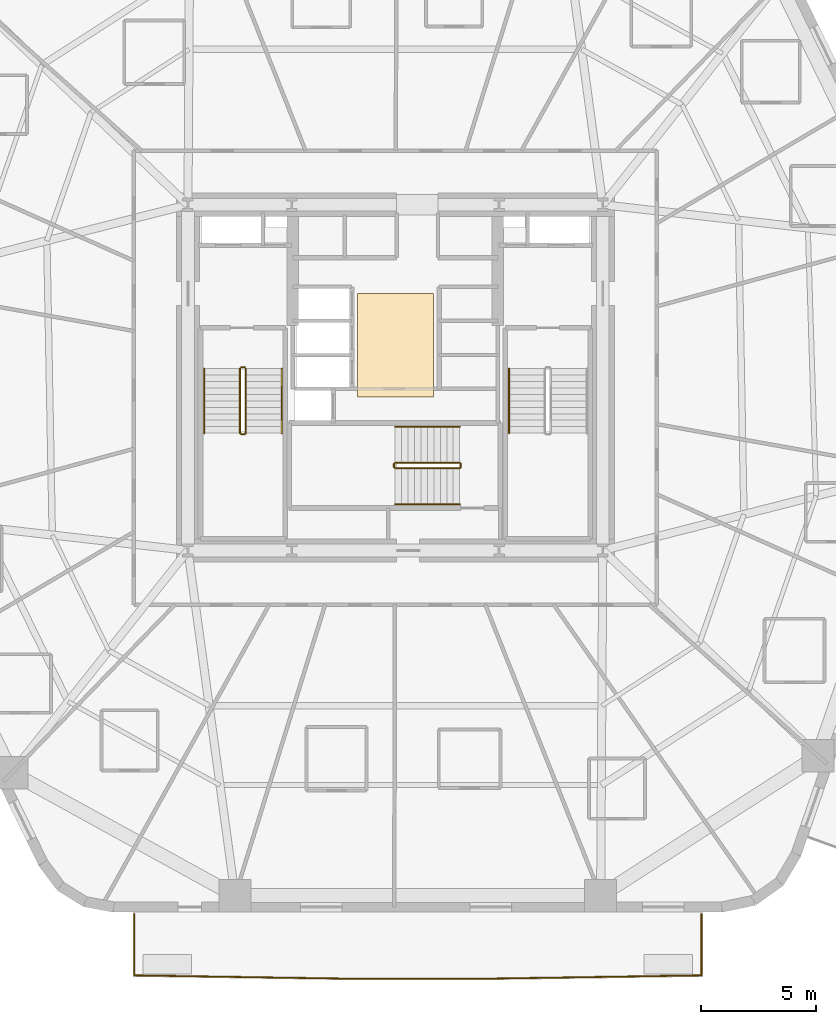
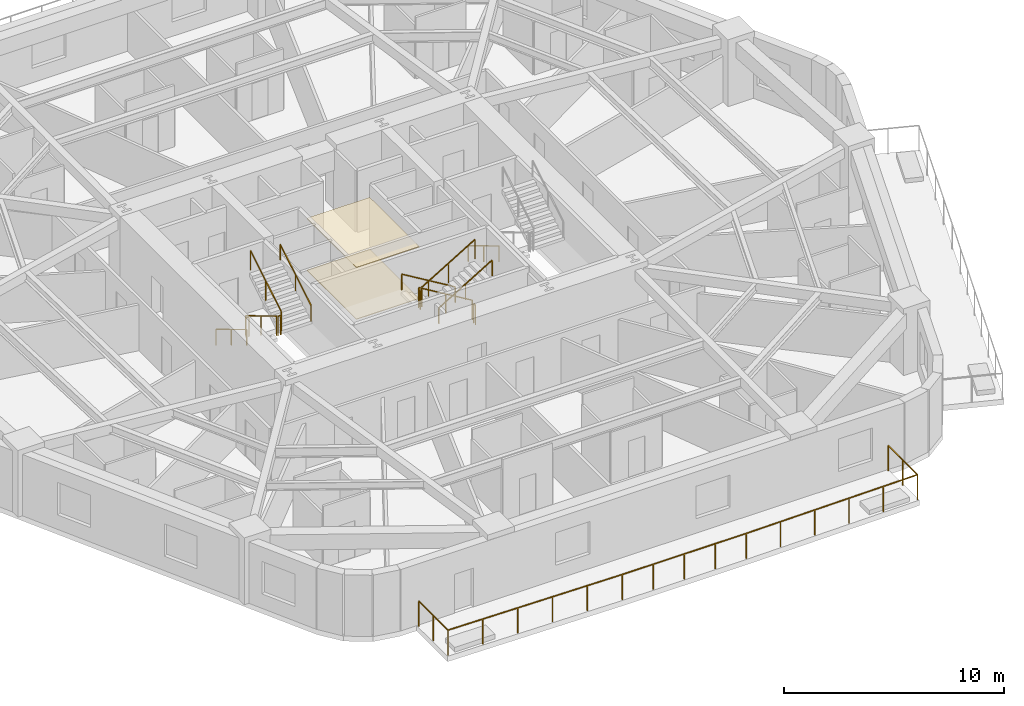
# One storey, part 9 of 11: 14 railings, 2 coverings.
"""IFC4 building model written with IfcOpenShell, lengths in metres."""

import ifcopenshell
import ifcopenshell.guid

model = None  # the IFC model being written
_history = None  # IfcOwnerHistory: only IFC2X3 demands one
_inside = {}  # id of a spatial element -> (the spatial element, [elements in it])
_under = {}  # id of a project, library or spatial element -> (it, [spatial elements below it])
_declared = {}  # id of a project -> (the project, [libraries it declares])
_typed = {}  # id of a type object -> (the type object, [elements of that type])
_made_of = {}  # id of a material, layer set ... -> (it, [elements and type objects made of it])


def new_model(schema):
    """Start an empty IFC model of exactly this schema.

    Asked for "IFC4X3", IfcOpenShell would pick the latest addendum, in which some entities
    have other attributes; the version numbers below select the first issue.
    IFC2X3 requires an IfcOwnerHistory on every rooted entity: one is made here for all.
    """
    global model, _history
    if schema == "IFC4X3":
        model = ifcopenshell.file(schema_version=(4, 3, 0, 0))
    else:
        model = ifcopenshell.file(schema=schema)
    _inside.clear()
    _under.clear()
    _declared.clear()
    _typed.clear()
    _made_of.clear()
    _history = None
    if model.schema == "IFC2X3":
        org = make("IfcOrganization", Name="unknown")
        user = make(
            "IfcPersonAndOrganization",
            ThePerson=make("IfcPerson", FamilyName="unknown"),
            TheOrganization=org,
        )
        app = make(
            "IfcApplication",
            ApplicationDeveloper=org,
            Version="unknown",
            ApplicationFullName="unknown",
            ApplicationIdentifier="unknown",
        )
        _history = make(
            "IfcOwnerHistory",
            OwningUser=user,
            OwningApplication=app,
            ChangeAction="ADDED",
            CreationDate=0,
        )
    return model


def make(cls, **values):
    """One entity of the class cls with the attributes given. An attribute that is None is left unset."""
    return model.create_entity(
        cls, **{name: value for name, value in values.items() if value is not None}
    )


def rooted(cls, **values):
    """An entity with a GlobalId (a new one), such as an element, a storey or a relation."""
    return make(cls, GlobalId=ifcopenshell.guid.new(), OwnerHistory=_history, **values)


def si_unit(unit_type, name, prefix=None):
    """IfcSIUnit, for example si_unit("LENGTHUNIT", "METRE", prefix="MILLI")."""
    return make("IfcSIUnit", UnitType=unit_type, Prefix=prefix, Name=name)


def assignment(units):
    """IfcUnitAssignment: the units of a project."""
    return None if units is None else make("IfcUnitAssignment", Units=units)


def point(xyz):
    """IfcCartesianPoint."""
    return None if xyz is None else make("IfcCartesianPoint", Coordinates=xyz)


def direction(xyz):
    """IfcDirection."""
    return None if xyz is None else make("IfcDirection", DirectionRatios=xyz)


def frame(location, z_axis=None, x_axis=None):
    """IfcAxis2Placement3D, a coordinate frame: its origin and axes. An axis left out is left unset."""
    return make(
        "IfcAxis2Placement3D",
        Location=point(location),
        Axis=direction(z_axis),
        RefDirection=direction(x_axis),
    )


def frame_2d(location, x_axis=None):
    """IfcAxis2Placement2D, a coordinate frame in the plane: its origin and x axis."""
    return make(
        "IfcAxis2Placement2D", Location=point(location), RefDirection=direction(x_axis)
    )


def origin():
    """The frame at (0, 0, 0) with its axes left unset."""
    return frame((0.0, 0.0, 0.0))


def origin_2d():
    """The frame at (0, 0) in the plane with its x axis left unset."""
    return frame_2d((0.0, 0.0))


def place(relative_to, where):
    """IfcLocalPlacement: puts the frame where relative to a parent placement (None: the world)."""
    return make(
        "IfcLocalPlacement", PlacementRelTo=relative_to, RelativePlacement=where
    )


def context(
    kind, dimensions, precision=None, world=None, true_north=None, identifier=None
):
    """IfcGeometricRepresentationContext, for example the 3D "Model" context."""
    return make(
        "IfcGeometricRepresentationContext",
        ContextIdentifier=identifier,
        ContextType=kind,
        CoordinateSpaceDimension=dimensions,
        Precision=precision,
        WorldCoordinateSystem=world,
        TrueNorth=true_north,
    )


def subcontext(parent, identifier, kind, view, scale=None):
    """IfcGeometricRepresentationSubContext, for example "Body" below "Model"."""
    return make(
        "IfcGeometricRepresentationSubContext",
        ContextIdentifier=identifier,
        ContextType=kind,
        ParentContext=parent,
        TargetScale=scale,
        TargetView=view,
    )


def project(units=None, contexts=None):
    """IfcProject with its units and contexts."""
    return rooted(
        "IfcProject",
        Name="project",
        RepresentationContexts=contexts,
        UnitsInContext=assignment(units),
    )


def spatial(cls, under=None, at=None, **own):
    """A site, building, storey or space (cls), placed at a placement, below another one or the project."""
    s = rooted(cls, ObjectPlacement=at, **own)
    if under is not None:
        _under.setdefault(under.id(), (under, []))[1].append(s)
    return s


def polyline(points):
    """IfcPolyline through the points."""
    return make("IfcPolyline", Points=[point(p) for p in points])


def profile(cls, at=None, kind="AREA", **sizes):
    """A parametric profile (cls). Its sizes go by their IFC names, for example OverallWidth=200.0."""
    return make(cls, ProfileType=kind, Position=at, **sizes)


def rectangle(**sizes):
    """IfcRectangleProfileDef."""
    return profile("IfcRectangleProfileDef", **sizes)


def outline(outer, holes=None, kind="AREA"):
    """IfcArbitraryClosedProfileDef: a profile drawn as a closed curve; with holes, ...WithVoids."""
    if holes is None:
        return make("IfcArbitraryClosedProfileDef", ProfileType=kind, OuterCurve=outer)
    return make(
        "IfcArbitraryProfileDefWithVoids",
        ProfileType=kind,
        OuterCurve=outer,
        InnerCurves=holes,
    )


def extrude(swept, where, along, depth):
    """IfcExtrudedAreaSolid: the profile swept, set in the frame where, extruded along a direction by depth."""
    return make(
        "IfcExtrudedAreaSolid",
        SweptArea=swept,
        Position=where,
        ExtrudedDirection=direction(along),
        Depth=depth,
    )


def shape(context_of_items, identifier, shape_type, items):
    """IfcShapeRepresentation: the items that make up one representation, for example the "Body"."""
    return make(
        "IfcShapeRepresentation",
        ContextOfItems=context_of_items,
        RepresentationIdentifier=identifier,
        RepresentationType=shape_type,
        Items=items,
    )


def material(Name=None, Category=None):
    """IfcMaterial."""
    return make("IfcMaterial", Name=Name, Category=Category)


def layer(
    of_material, thickness, ventilated=None, Name=None, Category=None, Priority=None
):
    """IfcMaterialLayer: one layer of a wall or slab, of a material (None: an air gap)."""
    return make(
        "IfcMaterialLayer",
        Material=of_material,
        LayerThickness=thickness,
        IsVentilated=ventilated,
        Name=Name,
        Category=Category,
        Priority=Priority,
    )


def layer_set(layers, Name=None):
    """IfcMaterialLayerSet."""
    return make("IfcMaterialLayerSet", MaterialLayers=layers, LayerSetName=Name)


def made_of(thing, what):
    """Note that an element or type object is made of a material, layer set ...; save() writes the relation."""
    if what is not None:
        _made_of.setdefault(what.id(), (what, []))[1].append(thing)
    return thing


def type_object(cls, material=None, **own):
    """A type object (cls), such as IfcWallType, which elements share."""
    return made_of(rooted(cls, **own), material)


def element(
    cls,
    number,
    at=None,
    inside=None,
    cuts=None,
    type_object=None,
    material=None,
    context=None,
    identifier="Body",
    shape_type=None,
    held_by="IfcProductDefinitionShape",
    body=None,
    shapes=None,
    **own,
):
    """One element of the class cls, such as IfcWall. Its Tag is "e" and its number.

    at: its placement. inside: the storey or other place that contains it. cuts: it is an
    opening in that element (IfcRelVoidsElement). A single representation is given by context,
    identifier, shape_type and body (its items); several are given by shapes. held_by: the class
    of the entity that holds the representations. save() writes the other relations.
    """
    e = rooted(cls, Tag="e%d" % number, ObjectPlacement=at, **own)
    if body is not None:
        shapes = [shape(context, identifier, shape_type, body)]
    if shapes is not None:
        e.Representation = make(held_by, Representations=shapes)
    if inside is not None:
        _inside.setdefault(inside.id(), (inside, []))[1].append(e)
    if cuts is not None:
        rooted(
            "IfcRelVoidsElement", RelatingBuildingElement=cuts, RelatedOpeningElement=e
        )
    if type_object is not None:
        _typed.setdefault(type_object.id(), (type_object, []))[1].append(e)
    return made_of(e, material)


def aggregate(whole, parts):
    """IfcRelAggregates: a whole, such as a stair, and the parts it consists of."""
    return rooted("IfcRelAggregates", RelatingObject=whole, RelatedObjects=parts)


def save(model, path):
    """Write the relations noted so far, then the file.

    IfcRelAggregates (storeys below a building ...), IfcRelContainedInSpatialStructure (elements
    in a storey), IfcRelDefinesByType, IfcRelAssociatesMaterial and IfcRelDeclares: one each for
    every whole, place, type object, material and project.
    """
    for whole, parts in _under.values():
        aggregate(whole, parts)
    for where, things in _inside.values():
        rooted(
            "IfcRelContainedInSpatialStructure",
            RelatedElements=things,
            RelatingStructure=where,
        )
    for kind, things in _typed.values():
        rooted("IfcRelDefinesByType", RelatedObjects=things, RelatingType=kind)
    for what, things in _made_of.values():
        rooted("IfcRelAssociatesMaterial", RelatedObjects=things, RelatingMaterial=what)
    for by, libraries in _declared.values():
        rooted("IfcRelDeclares", RelatingContext=by, RelatedDefinitions=libraries)
    model.write(path)


model = new_model("IFC4")

# Units and contexts
model_context = context("Model", 3, precision=1e-05, world=origin(), true_north=direction((0.0, 1.0)))
body_context = subcontext(model_context, "Body", "Model", "MODEL_VIEW")
ifc_project = project(units=[si_unit("LENGTHUNIT", "METRE"), si_unit("AREAUNIT", "SQUARE_METRE"), si_unit("VOLUMEUNIT", "CUBIC_METRE"), si_unit("PLANEANGLEUNIT", "RADIAN"), si_unit("MASSUNIT", "GRAM", prefix="KILO")], contexts=[model_context])

# Site, building, storey
site_placement = place(None, origin())
site = spatial("IfcSite", under=ifc_project, at=site_placement, CompositionType="ELEMENT")
building_placement = place(site_placement, origin())
building = spatial("IfcBuilding", under=site, at=building_placement, Name="Kilnhurst Terrace Hotel", CompositionType="ELEMENT")
storey_placement = place(building_placement, frame((0.0, 0.0, 37.89990234375)))
storey = spatial("IfcBuildingStorey", under=building, at=storey_placement, Name="L07", CompositionType="ELEMENT", Elevation=37.89990234375)

# Coverings
ifc_material_1 = material(Name="Perforated Micro-Acoustic Gypsum and Mineral Wool Ceiling")
ifc_layer_1 = layer(ifc_material_1, 0.050048828125, Name="Perforated Micro-Acoustic Gypsum and Mineral Wool Ceiling")
ifc_layer_set_1 = layer_set([ifc_layer_1], Name="Perforated Micro-Acoustic Gypsum and Mineral Wool Ceiling")
covering_type_1 = type_object("IfcCoveringType", Name="COV-CLG-AC60", PredefinedType="CEILING", material=ifc_layer_set_1)
covering_1_placement = place(storey_placement, frame((0.0, 0.0, 2.85009765625)))
element("IfcCovering", 1, at=covering_1_placement, inside=storey, type_object=covering_type_1, Name="L07 Lift Lobby Suspended Acoustic Ceiling", PredefinedType="CEILING", context=body_context, shape_type="SweptSolid", body=[
    extrude(outline(polyline([(-1.64990234375, -0.85009765625), (1.64990234375, -0.85009765625), (1.64990234375, 3.64990234375), (-1.64990234375, 3.64990234375), (-1.64990234375, -0.85009765625)])), origin(), (0.0, 0.0, 1.0), 0.050048828125),
])
ifc_material_2 = material(Name="Honed Texas Cream Limestone Tile Flooring", Category="masonry")
ifc_layer_2 = layer(ifc_material_2, 0.030029296875, Name="Honed Texas Cream Limestone Tile Flooring")
ifc_layer_set_2 = layer_set([ifc_layer_2], Name="Honed Texas Cream Limestone Tile Flooring")
covering_type_2 = type_object("IfcCoveringType", Name="COV-FLR-STN30", PredefinedType="FLOORING", material=ifc_layer_set_2)
covering_2_placement = place(storey_placement, origin())
element("IfcCovering", 2, at=covering_2_placement, inside=storey, type_object=covering_type_2, Name="L07 Lift Lobby Honed Limestone Flooring", PredefinedType="FLOORING", context=body_context, shape_type="SweptSolid", body=[
    extrude(outline(polyline([(-1.64990234375, -0.85009765625), (1.64990234375, -0.85009765625), (1.64990234375, 3.64990234375), (-1.64990234375, 3.64990234375), (-1.64990234375, -0.85009765625)])), origin(), (0.0, 0.0, 1.0), 0.030029296875),
])

# Railings
ifc_material_3 = material(Name="Laminated SentryGlas and Stainless Steel AISI 316L Balustrade", Category="steel")
ifc_layer_3 = layer(ifc_material_3, 0.070068359375, Name="Laminated SentryGlas and Stainless Steel AISI 316L Balustrade")
ifc_layer_set_3 = layer_set([ifc_layer_3], Name="Laminated SentryGlas and Stainless Steel AISI 316L Balustrade")
railing_type_1 = type_object("IfcRailingType", Name="RLG-BAL-1420", PredefinedType="BALUSTRADE", material=ifc_layer_set_3)
railing_1_placement = place(storey_placement, frame((13.281494140625, -23.280029296875, 0.0)))
element("IfcRailing", 3, at=railing_1_placement, inside=storey, type_object=railing_type_1, Name="L07 Exterior Terrace Guardrail BAL-L1A.1", PredefinedType="BALUSTRADE", context=body_context, shape_type="SweptSolid", body=[
    extrude(rectangle(XDim=0.048095703125, YDim=0.048095703125, at=origin_2d()), frame((0.0, 0.0, 1.39599609375), z_axis=(0.0, -1.0, 0.0), x_axis=(1.0, 0.0, 0.0)), (0.0, 0.0, 1.0), 2.660888671875),
    extrude(rectangle(XDim=0.048095703125, YDim=0.048095703125, at=origin_2d()), frame((0.0, -2.660888671875, 1.39599609375), z_axis=(-0.999881869157, -0.015370352358, 0.0), x_axis=(0.015370352358, -0.999881869157, 0.0)), (0.0, 0.0, 1.0), 9.0537109375),
    extrude(rectangle(XDim=0.048095703125, YDim=0.048095703125, at=origin_2d()), frame((-9.052734375, -2.800048828125, 1.39599609375), z_axis=(-1.0, 0.0, 0.0), x_axis=(0.0, -1.0, 0.0)), (0.0, 0.0, 1.0), 6.508056640625),
    extrude(rectangle(XDim=0.048095703125, YDim=0.048095703125, at=origin_2d()), frame((-15.560791015625, -2.800048828125, 1.39599609375), z_axis=(-0.999881869157, 0.015370352358, 0.0), x_axis=(-0.015370352358, -0.999881869157, 0.0)), (0.0, 0.0, 1.0), 9.0537109375),
    extrude(rectangle(XDim=0.048095703125, YDim=0.048095703125, at=origin_2d()), frame((-24.613525390625, -2.660888671875, 1.39599609375), z_axis=(0.0, 1.0, 0.0), x_axis=(-1.0, 0.0, 0.0)), (0.0, 0.0, 1.0), 2.660888671875),
    extrude(rectangle(XDim=0.0419921875, YDim=0.0419921875, at=origin_2d()), origin(), (0.0, 0.0, 1.0), 1.371826171875),
    extrude(rectangle(XDim=0.0419921875, YDim=0.0419921875, at=origin_2d()), frame((0.0, -1.33056640625, 0.0)), (0.0, 0.0, 1.0), 1.371826171875),
    extrude(rectangle(XDim=0.0419921875, YDim=0.0419921875, at=origin_2d()), frame((0.0, -2.660888671875, 0.0)), (0.0, 0.0, 1.0), 1.371826171875),
    extrude(rectangle(XDim=0.0419921875, YDim=0.0419921875, at=origin_2d()), frame((-1.810546875, -2.688720703125, 0.0)), (0.0, 0.0, 1.0), 1.371826171875),
    extrude(rectangle(XDim=0.0419921875, YDim=0.0419921875, at=origin_2d()), frame((-3.62109375, -2.716552734375, 0.0)), (0.0, 0.0, 1.0), 1.371826171875),
    extrude(rectangle(XDim=0.0419921875, YDim=0.0419921875, at=origin_2d()), frame((-5.431640625, -2.744384765625, 0.0)), (0.0, 0.0, 1.0), 1.371826171875),
    extrude(rectangle(XDim=0.0419921875, YDim=0.0419921875, at=origin_2d()), frame((-7.2421875, -2.772216796875, 0.0)), (0.0, 0.0, 1.0), 1.371826171875),
    extrude(rectangle(XDim=0.0419921875, YDim=0.0419921875, at=origin_2d()), frame((-9.052734375, -2.800048828125, 0.0)), (0.0, 0.0, 1.0), 1.371826171875),
    extrude(rectangle(XDim=0.0419921875, YDim=0.0419921875, at=origin_2d()), frame((-10.6796875, -2.800048828125, 0.0)), (0.0, 0.0, 1.0), 1.371826171875),
    extrude(rectangle(XDim=0.0419921875, YDim=0.0419921875, at=origin_2d()), frame((-12.306640625, -2.800048828125, 0.0)), (0.0, 0.0, 1.0), 1.371826171875),
    extrude(rectangle(XDim=0.0419921875, YDim=0.0419921875, at=origin_2d()), frame((-13.933837890625, -2.800048828125, 0.0)), (0.0, 0.0, 1.0), 1.371826171875),
    extrude(rectangle(XDim=0.0419921875, YDim=0.0419921875, at=origin_2d()), frame((-15.560791015625, -2.800048828125, 0.0)), (0.0, 0.0, 1.0), 1.371826171875),
    extrude(rectangle(XDim=0.0419921875, YDim=0.0419921875, at=origin_2d()), frame((-17.371337890625, -2.772216796875, 0.0)), (0.0, 0.0, 1.0), 1.371826171875),
    extrude(rectangle(XDim=0.0419921875, YDim=0.0419921875, at=origin_2d()), frame((-19.181884765625, -2.744384765625, 0.0)), (0.0, 0.0, 1.0), 1.371826171875),
    extrude(rectangle(XDim=0.0419921875, YDim=0.0419921875, at=origin_2d()), frame((-20.992431640625, -2.716552734375, 0.0)), (0.0, 0.0, 1.0), 1.371826171875),
    extrude(rectangle(XDim=0.0419921875, YDim=0.0419921875, at=origin_2d()), frame((-22.802978515625, -2.688720703125, 0.0)), (0.0, 0.0, 1.0), 1.371826171875),
    extrude(rectangle(XDim=0.0419921875, YDim=0.0419921875, at=origin_2d()), frame((-24.613525390625, -2.660888671875, 0.0)), (0.0, 0.0, 1.0), 1.371826171875),
    extrude(rectangle(XDim=0.0419921875, YDim=0.0419921875, at=origin_2d()), frame((-24.613525390625, -1.33056640625, 0.0)), (0.0, 0.0, 1.0), 1.371826171875),
    extrude(rectangle(XDim=0.0419921875, YDim=0.0419921875, at=origin_2d()), frame((-24.613525390625, 0.0, 0.0)), (0.0, 0.0, 1.0), 1.371826171875),
])
ifc_material_4 = material(Name="Powder-Coated Steel ASTM A500 Grade B", Category="steel")
ifc_layer_4 = layer(ifc_material_4, 0.050048828125, Name="Powder-Coated Steel ASTM A500 Grade B")
ifc_layer_set_4 = layer_set([ifc_layer_4], Name="Powder-Coated Steel ASTM A500 Grade B")
railing_type_2 = type_object("IfcRailingType", Name="RLG-ST-GRD-1100", PredefinedType="GUARDRAIL", material=ifc_layer_set_4)
railing_2_placement = place(storey_placement, frame((-6.739990234375, 0.389892578125, 0.168212890625)))
element("IfcRailing", 4, at=railing_2_placement, inside=storey, type_object=railing_type_2, Name="L07 ST-1 stair guard 1", PredefinedType="GUARDRAIL", context=body_context, shape_type="SweptSolid", body=[
    extrude(rectangle(XDim=0.048095703125, YDim=0.048095703125, at=origin_2d()), frame((0.0, 0.0, 1.076171875), z_axis=(0.0, -0.857222391501, 0.514946377315), x_axis=(1.0, 0.0, 0.0)), (0.0, 0.0, 1.0), 3.26611328125),
    extrude(rectangle(XDim=0.0419921875, YDim=0.0419921875, at=origin_2d()), origin(), (0.0, 0.0, 1.0), 1.052001953125),
    extrude(rectangle(XDim=0.0419921875, YDim=0.0419921875, at=origin_2d()), frame((0.0, -1.39990234375, 0.8408203125)), (0.0, 0.0, 1.0), 1.052001953125),
    extrude(rectangle(XDim=0.0419921875, YDim=0.0419921875, at=origin_2d()), frame((0.0, -2.7998046875, 1.681884765625)), (0.0, 0.0, 1.0), 1.052001953125),
])
railing_3_placement = place(storey_placement, frame((-6.68994140625, -2.4599609375, 1.85009765625)))
element("IfcRailing", 5, at=railing_3_placement, inside=storey, type_object=railing_type_2, Name="L07 ST-1 stair guard 2", PredefinedType="GUARDRAIL", context=body_context, shape_type="SweptSolid", body=[
    extrude(rectangle(XDim=0.048095703125, YDim=0.048095703125, at=origin_2d()), frame((0.0, 0.0, 1.076171875), z_axis=(1.0, 0.0, 0.0), x_axis=(0.0, 1.0, 0.0)), (0.0, 0.0, 1.0), 0.14990234375),
    extrude(rectangle(XDim=0.0419921875, YDim=0.0419921875, at=origin_2d()), origin(), (0.0, 0.0, 1.0), 1.052001953125),
    extrude(rectangle(XDim=0.0419921875, YDim=0.0419921875, at=origin_2d()), frame((0.14990234375, 0.0, 0.0)), (0.0, 0.0, 1.0), 1.052001953125),
])
railing_4_placement = place(storey_placement, frame((-6.489990234375, -2.409912109375, 2.018310546875)))
element("IfcRailing", 6, at=railing_4_placement, inside=storey, type_object=railing_type_2, Name="L07 ST-1 stair guard 3", PredefinedType="GUARDRAIL", context=body_context, shape_type="SweptSolid", body=[
    extrude(rectangle(XDim=0.048095703125, YDim=0.048095703125, at=origin_2d()), frame((0.0, 0.0, 1.076171875), z_axis=(0.0, 0.857222391501, 0.514946377315), x_axis=(-1.0, 0.0, 0.0)), (0.0, 0.0, 1.0), 3.26611328125),
    extrude(rectangle(XDim=0.0419921875, YDim=0.0419921875, at=origin_2d()), origin(), (0.0, 0.0, 1.0), 1.052001953125),
    extrude(rectangle(XDim=0.0419921875, YDim=0.0419921875, at=origin_2d()), frame((0.0, 1.39990234375, 0.8408203125)), (0.0, 0.0, 1.0), 1.052001953125),
    extrude(rectangle(XDim=0.0419921875, YDim=0.0419921875, at=origin_2d()), frame((0.0, 2.7998046875, 1.681884765625)), (0.0, 0.0, 1.0), 1.052001953125),
])
railing_5_placement = place(storey_placement, frame((-6.68994140625, 0.43994140625, 0.0)))
element("IfcRailing", 7, at=railing_5_placement, inside=storey, type_object=railing_type_2, Name="L07 ST-1 stair guard 4", PredefinedType="GUARDRAIL", context=body_context, shape_type="SweptSolid", body=[
    extrude(rectangle(XDim=0.048095703125, YDim=0.048095703125, at=origin_2d()), frame((0.0, 0.0, 1.076171875), z_axis=(1.0, 0.0, 0.0), x_axis=(0.0, 1.0, 0.0)), (0.0, 0.0, 1.0), 0.14990234375),
    extrude(rectangle(XDim=0.0419921875, YDim=0.0419921875, at=origin_2d()), origin(), (0.0, 0.0, 1.0), 1.052001953125),
    extrude(rectangle(XDim=0.0419921875, YDim=0.0419921875, at=origin_2d()), frame((0.14990234375, 0.0, 0.0)), (0.0, 0.0, 1.0), 1.052001953125),
])
railing_6_placement = place(storey_placement, frame((2.7900390625, -3.68994140625, 0.168212890625)))
element("IfcRailing", 8, at=railing_6_placement, inside=storey, type_object=railing_type_2, Name="L07 ST-3 stair guard 1", PredefinedType="GUARDRAIL", context=body_context, shape_type="SweptSolid", body=[
    extrude(rectangle(XDim=0.048095703125, YDim=0.048095703125, at=origin_2d()), frame((0.0, 0.0, 1.076171875), z_axis=(-0.857242210791, 0.0, 0.514913383045), x_axis=(0.0, -1.0, 0.0)), (0.0, 0.0, 1.0), 3.266357421875),
    extrude(rectangle(XDim=0.0419921875, YDim=0.0419921875, at=origin_2d()), origin(), (0.0, 0.0, 1.0), 1.052001953125),
    extrude(rectangle(XDim=0.0419921875, YDim=0.0419921875, at=origin_2d()), frame((-1.39990234375, 0.0, 0.8408203125)), (0.0, 0.0, 1.0), 1.052001953125),
    extrude(rectangle(XDim=0.0419921875, YDim=0.0419921875, at=origin_2d()), frame((-2.800048828125, 0.0, 1.681884765625)), (0.0, 0.0, 1.0), 1.052001953125),
])
railing_7_placement = place(storey_placement, frame((-0.06005859375, -3.739990234375, 1.85009765625)))
element("IfcRailing", 9, at=railing_7_placement, inside=storey, type_object=railing_type_2, Name="L07 ST-3 stair guard 2", PredefinedType="GUARDRAIL", context=body_context, shape_type="SweptSolid", body=[
    extrude(rectangle(XDim=0.048095703125, YDim=0.048095703125, at=origin_2d()), frame((0.0, 0.0, 1.076171875), z_axis=(0.0, -1.0, 0.0), x_axis=(1.0, 0.0, 0.0)), (0.0, 0.0, 1.0), 0.14990234375),
    extrude(rectangle(XDim=0.0419921875, YDim=0.0419921875, at=origin_2d()), origin(), (0.0, 0.0, 1.0), 1.052001953125),
    extrude(rectangle(XDim=0.0419921875, YDim=0.0419921875, at=origin_2d()), frame((0.0, -0.14990234375, 0.0)), (0.0, 0.0, 1.0), 1.052001953125),
])
railing_8_placement = place(storey_placement, frame((-0.010009765625, -3.93994140625, 2.018310546875)))
element("IfcRailing", 10, at=railing_8_placement, inside=storey, type_object=railing_type_2, Name="L07 ST-3 stair guard 3", PredefinedType="GUARDRAIL", context=body_context, shape_type="SweptSolid", body=[
    extrude(rectangle(XDim=0.048095703125, YDim=0.048095703125, at=origin_2d()), frame((0.0, 0.0, 1.076171875), z_axis=(0.857242210791, 0.0, 0.514913383045), x_axis=(0.0, 1.0, 0.0)), (0.0, 0.0, 1.0), 3.266357421875),
    extrude(rectangle(XDim=0.0419921875, YDim=0.0419921875, at=origin_2d()), origin(), (0.0, 0.0, 1.0), 1.052001953125),
    extrude(rectangle(XDim=0.0419921875, YDim=0.0419921875, at=origin_2d()), frame((1.39990234375, 0.0, 0.8408203125)), (0.0, 0.0, 1.0), 1.052001953125),
    extrude(rectangle(XDim=0.0419921875, YDim=0.0419921875, at=origin_2d()), frame((2.800048828125, 0.0, 1.681884765625)), (0.0, 0.0, 1.0), 1.052001953125),
])
railing_9_placement = place(storey_placement, frame((2.840087890625, -3.739990234375, 0.0)))
element("IfcRailing", 11, at=railing_9_placement, inside=storey, type_object=railing_type_2, Name="L07 ST-3 stair guard 4", PredefinedType="GUARDRAIL", context=body_context, shape_type="SweptSolid", body=[
    extrude(rectangle(XDim=0.048095703125, YDim=0.048095703125, at=origin_2d()), frame((0.0, 0.0, 1.076171875), z_axis=(0.0, -1.0, 0.0), x_axis=(1.0, 0.0, 0.0)), (0.0, 0.0, 1.0), 0.14990234375),
    extrude(rectangle(XDim=0.0419921875, YDim=0.0419921875, at=origin_2d()), origin(), (0.0, 0.0, 1.0), 1.052001953125),
    extrude(rectangle(XDim=0.0419921875, YDim=0.0419921875, at=origin_2d()), frame((0.0, -0.14990234375, 0.0)), (0.0, 0.0, 1.0), 1.052001953125),
])
ifc_material_5 = material(Name="Brushed Stainless Steel AISI 304", Category="steel")
ifc_layer_5 = layer(ifc_material_5, 0.048095703125, Name="Brushed Stainless Steel AISI 304")
ifc_layer_set_5 = layer_set([ifc_layer_5], Name="Brushed Stainless Steel AISI 304")
railing_type_3 = type_object("IfcRailingType", Name="RLG-ST-HRL-900", PredefinedType="HANDRAIL", material=ifc_layer_set_5)
railing_10_placement = place(storey_placement, frame((-8.300048828125, 0.389892578125, 0.168212890625)))
element("IfcRailing", 12, at=railing_10_placement, inside=storey, type_object=railing_type_3, Name="L07 ST-1 stair handrail 1", PredefinedType="HANDRAIL", context=body_context, shape_type="SweptSolid", body=[
    extrude(rectangle(XDim=0.048095703125, YDim=0.048095703125, at=origin_2d()), frame((0.0, 0.0, 0.8759765625), z_axis=(0.0, -0.857222391501, 0.514946377315), x_axis=(1.0, 0.0, 0.0)), (0.0, 0.0, 1.0), 3.26611328125),
    extrude(rectangle(XDim=0.0419921875, YDim=0.0419921875, at=origin_2d()), origin(), (0.0, 0.0, 1.0), 0.851806640625),
    extrude(rectangle(XDim=0.0419921875, YDim=0.0419921875, at=origin_2d()), frame((0.0, -1.39990234375, 0.8408203125)), (0.0, 0.0, 1.0), 0.851806640625),
    extrude(rectangle(XDim=0.0419921875, YDim=0.0419921875, at=origin_2d()), frame((0.0, -2.7998046875, 1.681884765625)), (0.0, 0.0, 1.0), 0.851806640625),
])
railing_11_placement = place(storey_placement, frame((-4.929931640625, -2.409912109375, 2.018310546875)))
element("IfcRailing", 13, at=railing_11_placement, inside=storey, type_object=railing_type_3, Name="L07 ST-1 stair handrail 2", PredefinedType="HANDRAIL", context=body_context, shape_type="SweptSolid", body=[
    extrude(rectangle(XDim=0.048095703125, YDim=0.048095703125, at=origin_2d()), frame((0.0, 0.0, 0.8759765625), z_axis=(0.0, 0.857222391501, 0.514946377315), x_axis=(-1.0, 0.0, 0.0)), (0.0, 0.0, 1.0), 3.26611328125),
    extrude(rectangle(XDim=0.0419921875, YDim=0.0419921875, at=origin_2d()), origin(), (0.0, 0.0, 1.0), 0.851806640625),
    extrude(rectangle(XDim=0.0419921875, YDim=0.0419921875, at=origin_2d()), frame((0.0, 1.39990234375, 0.8408203125)), (0.0, 0.0, 1.0), 0.851806640625),
    extrude(rectangle(XDim=0.0419921875, YDim=0.0419921875, at=origin_2d()), frame((0.0, 2.7998046875, 1.681884765625)), (0.0, 0.0, 1.0), 0.851806640625),
])
railing_12_placement = place(storey_placement, frame((4.929931640625, 0.389892578125, 0.168212890625)))
element("IfcRailing", 14, at=railing_12_placement, inside=storey, type_object=railing_type_3, Name="L07 ST-2 stair handrail 1", PredefinedType="HANDRAIL", context=body_context, shape_type="SweptSolid", body=[
    extrude(rectangle(XDim=0.048095703125, YDim=0.048095703125, at=origin_2d()), frame((0.0, 0.0, 0.8759765625), z_axis=(0.0, -0.857222391501, 0.514946377315), x_axis=(1.0, 0.0, 0.0)), (0.0, 0.0, 1.0), 3.26611328125),
    extrude(rectangle(XDim=0.0419921875, YDim=0.0419921875, at=origin_2d()), origin(), (0.0, 0.0, 1.0), 0.851806640625),
    extrude(rectangle(XDim=0.0419921875, YDim=0.0419921875, at=origin_2d()), frame((0.0, -1.39990234375, 0.8408203125)), (0.0, 0.0, 1.0), 0.851806640625),
    extrude(rectangle(XDim=0.0419921875, YDim=0.0419921875, at=origin_2d()), frame((0.0, -2.7998046875, 1.681884765625)), (0.0, 0.0, 1.0), 0.851806640625),
])
railing_13_placement = place(storey_placement, frame((2.7900390625, -2.1298828125, 0.168212890625)))
element("IfcRailing", 15, at=railing_13_placement, inside=storey, type_object=railing_type_3, Name="L07 ST-3 stair handrail 1", PredefinedType="HANDRAIL", context=body_context, shape_type="SweptSolid", body=[
    extrude(rectangle(XDim=0.048095703125, YDim=0.048095703125, at=origin_2d()), frame((0.0, 0.0, 0.8759765625), z_axis=(-0.857242210791, 0.0, 0.514913383045), x_axis=(0.0, -1.0, 0.0)), (0.0, 0.0, 1.0), 3.266357421875),
    extrude(rectangle(XDim=0.0419921875, YDim=0.0419921875, at=origin_2d()), origin(), (0.0, 0.0, 1.0), 0.851806640625),
    extrude(rectangle(XDim=0.0419921875, YDim=0.0419921875, at=origin_2d()), frame((-1.39990234375, 0.0, 0.8408203125)), (0.0, 0.0, 1.0), 0.851806640625),
    extrude(rectangle(XDim=0.0419921875, YDim=0.0419921875, at=origin_2d()), frame((-2.800048828125, 0.0, 1.681884765625)), (0.0, 0.0, 1.0), 0.851806640625),
])
railing_14_placement = place(storey_placement, frame((-0.010009765625, -5.5, 2.018310546875)))
element("IfcRailing", 16, at=railing_14_placement, inside=storey, type_object=railing_type_3, Name="L07 ST-3 stair handrail 2", PredefinedType="HANDRAIL", context=body_context, shape_type="SweptSolid", body=[
    extrude(rectangle(XDim=0.048095703125, YDim=0.048095703125, at=origin_2d()), frame((0.0, 0.0, 0.8759765625), z_axis=(0.857242210791, 0.0, 0.514913383045), x_axis=(0.0, 1.0, 0.0)), (0.0, 0.0, 1.0), 3.266357421875),
    extrude(rectangle(XDim=0.0419921875, YDim=0.0419921875, at=origin_2d()), origin(), (0.0, 0.0, 1.0), 0.851806640625),
    extrude(rectangle(XDim=0.0419921875, YDim=0.0419921875, at=origin_2d()), frame((1.39990234375, 0.0, 0.8408203125)), (0.0, 0.0, 1.0), 0.851806640625),
    extrude(rectangle(XDim=0.0419921875, YDim=0.0419921875, at=origin_2d()), frame((2.800048828125, 0.0, 1.681884765625)), (0.0, 0.0, 1.0), 0.851806640625),
])

save(model, "model.ifc")
